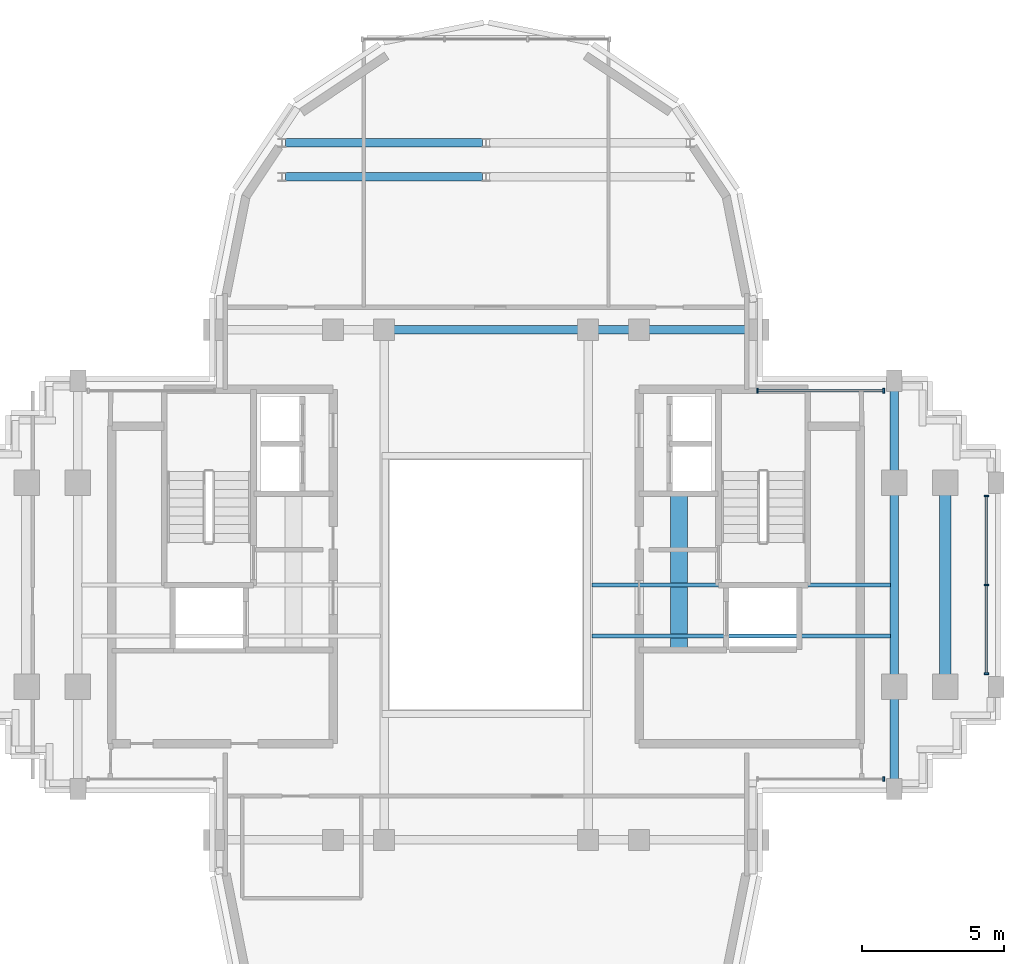
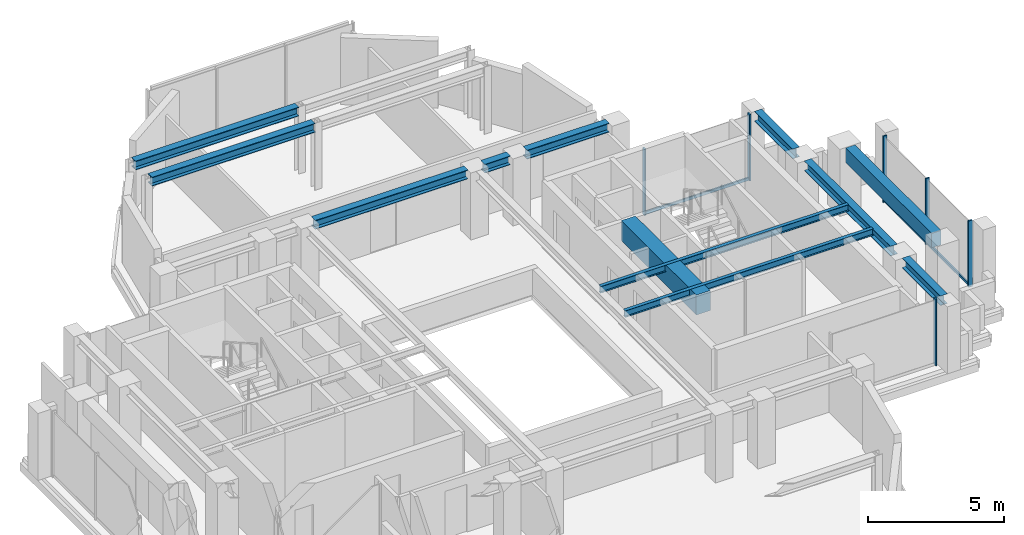
# One storey, part 5 of 12: 12 beams, 9 members, 3 elements without a shape of their own.
"""IFC4 building model written with IfcOpenShell, lengths in metres."""

from ifc_helpers import new_model, si_unit, direction, frame, origin, origin_2d, place, context, subcontext, project, spatial, rectangle, i_section, extrude, source, transform, mapped, material, material_profile, profile_set, type_object, element, aggregate, save


model = new_model("IFC4")

# Units and contexts
model_context = context("Model", 3, precision=1e-05, world=origin(), true_north=direction((0.0, 1.0)))
body_context = subcontext(model_context, "Body", "Model", "MODEL_VIEW")
ifc_project = project(units=[si_unit("LENGTHUNIT", "METRE"), si_unit("AREAUNIT", "SQUARE_METRE"), si_unit("VOLUMEUNIT", "CUBIC_METRE"), si_unit("PLANEANGLEUNIT", "RADIAN"), si_unit("MASSUNIT", "GRAM", prefix="KILO")], contexts=[model_context])

# Site, building, storey
site_placement = place(None, origin())
site = spatial("IfcSite", under=ifc_project, at=site_placement, CompositionType="ELEMENT")
building_placement = place(site_placement, origin())
building = spatial("IfcBuilding", under=site, at=building_placement, Name="Keilestroom Media Tower", CompositionType="ELEMENT")
storey_placement = place(building_placement, frame((0.0, 0.0, 249.199951171875)))
storey = spatial("IfcBuildingStorey", under=building, at=storey_placement, Name="L69", CompositionType="ELEMENT", Elevation=249.199951171875)

# Beams
ifc_material_1 = material(Name="Concrete C70/85", Category="concrete")
ifc_material_profile_1 = material_profile(ifc_material_1, rectangle(XDim=0.60009765625, YDim=0.89990234375, at=origin_2d()), Name="RC 600x900")
ifc_profile_set_1 = profile_set([ifc_material_profile_1], Name="Concrete C70/85")
beam_type_1 = type_object("IfcBeamType", Name="Core-Coupling-Lintel-Beam-RC-600x900", PredefinedType="LINTEL", material=ifc_profile_set_1)
shared_shape_1 = source(origin(), body_context, "Body", "SweptSolid", [
    extrude(rectangle(XDim=0.60009765625, YDim=0.89990234375, at=origin_2d()), origin(), (0.0, 0.0, 1.0), 5.52001953125),
])
beam_1_placement = place(storey_placement, frame((6.800048828125, -2.300048828125, 2.56005859375), z_axis=(0.0, 1.0, 0.0), x_axis=(-1.0, 0.0, 0.0)))
element("IfcBeam", 1, at=beam_1_placement, inside=storey, type_object=beam_type_1, Name="L69 Beam CLB-1 CLB-L69-E", PredefinedType="LINTEL", context=body_context, shape_type="MappedRepresentation", body=[
    mapped(shared_shape_1, transform((0.0, 0.0, 0.0), x_axis=(1.0, 0.0, 0.0), y_axis=(0.0, 1.0, 0.0), z_axis=(0.0, 0.0, 1.0), scale=1.0)),
])
ifc_material_2 = material(Name="Steel S355", Category="steel")
ifc_material_profile_2 = material_profile(ifc_material_2, i_section(OverallWidth=0.300048828125, OverallDepth=0.39990234375, WebThickness=0.011474609375, FlangeThickness=0.02392578125, at=origin_2d()), Name="HEB 400")
ifc_profile_set_2 = profile_set([ifc_material_profile_2], Name="Steel S355")
beam_type_2 = type_object("IfcBeamType", Name="Primary-Structural-Girder-HEB-400", PredefinedType="BEAM", material=ifc_profile_set_2)
shared_shape_2 = source(origin(), body_context, "Body", "SweptSolid", [
    extrude(i_section(OverallWidth=0.300048828125, OverallDepth=0.39990234375, WebThickness=0.011474609375, FlangeThickness=0.02392578125, at=origin_2d()), origin(), (0.0, 0.0, 1.0), 6.940185546875),
])
for number, where, z_axis, x_axis, name in (
    (2, (-7.070068359375, 14.39990234375, 2.81005859375), (1.0, 0.0, 0.0), (0.0, 1.0, 0.0), "L69 Beam BG-8 BM-L69-EW-017"),
    (3, (-7.070068359375, 15.60009765625, 2.81005859375), (1.0, 0.0, 0.0), (0.0, 1.0, 0.0), "L69 Beam BG-8 BM-L69-EW-019"),
):
    element("IfcBeam", number, at=place(storey_placement, frame(where, z_axis=z_axis, x_axis=x_axis)), inside=storey, type_object=beam_type_2, Name=name, PredefinedType="BEAM", context=body_context, shape_type="MappedRepresentation", body=[
        mapped(shared_shape_2, transform((0.0, 0.0, 0.0), x_axis=(1.0, 0.0, 0.0), y_axis=(0.0, 1.0, 0.0), z_axis=(0.0, 0.0, 1.0), scale=1.0)),
    ])
shared_shape_3 = source(origin(), body_context, "Body", "SweptSolid", [
    extrude(i_section(OverallWidth=0.300048828125, OverallDepth=0.39990234375, WebThickness=0.011474609375, FlangeThickness=0.02392578125, at=origin_2d()), origin(), (0.0, 0.0, 1.0), 3.490234375),
])
beam_2_placement = place(storey_placement, frame((5.7548828125, 9.0, 2.81005859375), z_axis=(1.0, 0.0, 0.0), x_axis=(0.0, 1.0, 0.0)))
element("IfcBeam", 4, at=beam_2_placement, inside=storey, type_object=beam_type_2, Name="L69 Beam BG-8 BM-L69-EW-016", PredefinedType="BEAM", context=body_context, shape_type="MappedRepresentation", body=[
    mapped(shared_shape_3, transform((0.0, 0.0, 0.0), x_axis=(1.0, 0.0, 0.0), y_axis=(0.0, 1.0, 0.0), z_axis=(0.0, 0.0, 1.0), scale=1.0)),
])
shared_shape_4 = source(origin(), body_context, "Body", "SweptSolid", [
    extrude(i_section(OverallWidth=0.300048828125, OverallDepth=0.39990234375, WebThickness=0.011474609375, FlangeThickness=0.02392578125, at=origin_2d()), origin(), (0.0, 0.0, 1.0), 1.08984375),
])
beam_3_placement = place(storey_placement, frame((3.955078125, 9.0, 2.81005859375), z_axis=(1.0, 0.0, 0.0), x_axis=(0.0, 1.0, 0.0)))
element("IfcBeam", 5, at=beam_3_placement, inside=storey, type_object=beam_type_2, Name="L69 Beam BG-8 BM-L69-EW-015", PredefinedType="BEAM", context=body_context, shape_type="MappedRepresentation", body=[
    mapped(shared_shape_4, transform((0.0, 0.0, 0.0), x_axis=(1.0, 0.0, 0.0), y_axis=(0.0, 1.0, 0.0), z_axis=(0.0, 0.0, 1.0), scale=1.0)),
])
shared_shape_5 = source(origin(), body_context, "Body", "SweptSolid", [
    extrude(i_section(OverallWidth=0.300048828125, OverallDepth=0.39990234375, WebThickness=0.011474609375, FlangeThickness=0.02392578125, at=origin_2d()), origin(), (0.0, 0.0, 1.0), 6.490234375),
])
beam_4_placement = place(storey_placement, frame((-3.2451171875, 9.0, 2.81005859375), z_axis=(1.0, 0.0, 0.0), x_axis=(0.0, 1.0, 0.0)))
element("IfcBeam", 6, at=beam_4_placement, inside=storey, type_object=beam_type_2, Name="L69 Beam BG-8 BM-L69-EW-014", PredefinedType="BEAM", context=body_context, shape_type="MappedRepresentation", body=[
    mapped(shared_shape_5, transform((0.0, 0.0, 0.0), x_axis=(1.0, 0.0, 0.0), y_axis=(0.0, 1.0, 0.0), z_axis=(0.0, 0.0, 1.0), scale=1.0)),
])
ifc_material_profile_3 = material_profile(ifc_material_2, i_section(OverallWidth=0.300048828125, OverallDepth=0.43994140625, WebThickness=0.011474609375, FlangeThickness=0.02099609375, at=origin_2d()), Name="HEA 450")
ifc_profile_set_3 = profile_set([ifc_material_profile_3], Name="Steel S355")
beam_type_3 = type_object("IfcBeamType", Name="Primary-Structural-Girder-HEA-450", PredefinedType="BEAM", material=ifc_profile_set_3)
shared_shape_6 = source(origin(), body_context, "Body", "SweptSolid", [
    extrude(i_section(OverallWidth=0.300048828125, OverallDepth=0.43994140625, WebThickness=0.011474609375, FlangeThickness=0.02099609375, at=origin_2d()), origin(), (0.0, 0.0, 1.0), 6.33984375),
])
beam_5_placement = place(storey_placement, frame((14.39990234375, -3.169921875, 2.7900390625), z_axis=(0.0, 1.0, 0.0), x_axis=(-1.0, 0.0, 0.0)))
element("IfcBeam", 7, at=beam_5_placement, inside=storey, type_object=beam_type_3, Name="L69 Beam BG-11 BM-L69-NS-036", PredefinedType="BEAM", context=body_context, shape_type="MappedRepresentation", body=[
    mapped(shared_shape_6, transform((0.0, 0.0, 0.0), x_axis=(1.0, 0.0, 0.0), y_axis=(0.0, 1.0, 0.0), z_axis=(0.0, 0.0, 1.0), scale=1.0)),
])
shared_shape_7 = source(origin(), body_context, "Body", "SweptSolid", [
    extrude(i_section(OverallWidth=0.300048828125, OverallDepth=0.43994140625, WebThickness=0.011474609375, FlangeThickness=0.02099609375, at=origin_2d()), origin(), (0.0, 0.0, 1.0), 2.81494140625),
])
for number, where, z_axis, x_axis, name in (
    (8, (14.39990234375, -6.844970703125, 2.7900390625), (0.0, 1.0, 0.0), (-1.0, 0.0, 0.0), "L69 Beam BG-11 BM-L69-NS-035"),
    (9, (14.39990234375, 4.030029296875, 2.7900390625), (0.0, 1.0, 0.0), (-1.0, 0.0, 0.0), "L69 Beam BG-11 BM-L69-NS-037"),
):
    element("IfcBeam", number, at=place(storey_placement, frame(where, z_axis=z_axis, x_axis=x_axis)), inside=storey, type_object=beam_type_3, Name=name, PredefinedType="BEAM", context=body_context, shape_type="MappedRepresentation", body=[
        mapped(shared_shape_7, transform((0.0, 0.0, 0.0), x_axis=(1.0, 0.0, 0.0), y_axis=(0.0, 1.0, 0.0), z_axis=(0.0, 0.0, 1.0), scale=1.0)),
    ])
ifc_material_profile_4 = material_profile(ifc_material_2, i_section(OverallWidth=0.14990234375, OverallDepth=0.300048828125, WebThickness=0.007080078125, FlangeThickness=0.0107421875, at=origin_2d()), Name="IPE 300")
ifc_profile_set_4 = profile_set([ifc_material_profile_4], Name="Steel S355")
beam_type_4 = type_object("IfcBeamType", Name="Secondary-Floor-Joist-IPE-300", PredefinedType="JOIST", material=ifc_profile_set_4)
shared_shape_8 = source(origin(), body_context, "Body", "SweptSolid", [
    extrude(i_section(OverallWidth=0.14990234375, OverallDepth=0.300048828125, WebThickness=0.007080078125, FlangeThickness=0.0107421875, at=origin_2d()), origin(), (0.0, 0.0, 1.0), 10.5400390625),
])
for number, where, z_axis, x_axis, name in (
    (10, (3.72998046875, -1.800048828125, 2.860107421875), (1.0, 0.0, 0.0), (0.0, 1.0, 0.0), "L69 Beam BJ-7 JST-L69-041"),
    (11, (3.72998046875, 0.0, 2.860107421875), (1.0, 0.0, 0.0), (0.0, 1.0, 0.0), "L69 Beam BJ-7 JST-L69-044"),
):
    element("IfcBeam", number, at=place(storey_placement, frame(where, z_axis=z_axis, x_axis=x_axis)), inside=storey, type_object=beam_type_4, Name=name, PredefinedType="JOIST", context=body_context, shape_type="MappedRepresentation", body=[
        mapped(shared_shape_8, transform((0.0, 0.0, 0.0), x_axis=(1.0, 0.0, 0.0), y_axis=(0.0, 1.0, 0.0), z_axis=(0.0, 0.0, 1.0), scale=1.0)),
    ])
ifc_material_3 = material(Name="Precast concrete C40/50", Category="concrete")
ifc_material_profile_5 = material_profile(ifc_material_3, rectangle(XDim=0.39990234375, YDim=0.64990234375, at=origin_2d()), Name="PC 400x650")
ifc_profile_set_5 = profile_set([ifc_material_profile_5], Name="Precast concrete C40/50")
beam_type_5 = type_object("IfcBeamType", Name="Perimeter-Spandrel-Beam-PC-400x650", PredefinedType="SPANDREL", material=ifc_profile_set_5)
shared_shape_9 = source(origin(), body_context, "Body", "SweptSolid", [
    extrude(rectangle(XDim=0.39990234375, YDim=0.64990234375, at=origin_2d()), origin(), (0.0, 0.0, 1.0), 6.33984375),
])
beam_6_placement = place(storey_placement, frame((16.199951171875, -3.169921875, 2.655029296875), z_axis=(0.0, 1.0, 0.0), x_axis=(-1.0, 0.0, 0.0)))
element("IfcBeam", 12, at=beam_6_placement, inside=storey, type_object=beam_type_5, Name="L69 Beam SPB-2 BM-L69-NS-038", PredefinedType="SPANDREL", context=body_context, shape_type="MappedRepresentation", body=[
    mapped(shared_shape_9, transform((0.0, 0.0, 0.0), x_axis=(1.0, 0.0, 0.0), y_axis=(0.0, 1.0, 0.0), z_axis=(0.0, 0.0, 1.0), scale=1.0)),
])

# Curtain wall, members
ifc_material_4 = material(Name="Anodised Aluminium Alloy", Category="aluminium")
curtain_wall_type = type_object("IfcCurtainWallType", Name="Unitised-Curtain-Wall-CW-4", PredefinedType="NOTDEFINED", material=ifc_material_4)
curtain_wall_1_placement = place(storey_placement, origin())
curtain_wall_1 = element("IfcCurtainWall", 13, at=curtain_wall_1_placement, inside=storey, type_object=curtain_wall_type, Name="L69 Curtain Wall CW-4 CW-L69-E-1", PredefinedType="NOTDEFINED")
ifc_material_profile_6 = material_profile(ifc_material_4, rectangle(XDim=0.06005859375, YDim=0.159912109375, at=origin_2d()), Name="ALU MULLION 60x160")
ifc_profile_set_6 = profile_set([ifc_material_profile_6], Name="Anodised Aluminium Alloy")
member_type_1 = type_object("IfcMemberType", Name="Curtain-Wall-Mullion-CW-4", PredefinedType="MULLION", material=ifc_profile_set_6)
shared_shape_10 = source(origin(), body_context, "Body", "SweptSolid", [
    extrude(rectangle(XDim=0.06005859375, YDim=0.159912109375, at=origin_2d()), origin(), (0.0, 0.0, 1.0), 2.97998046875),
])
member_1_placement = place(storey_placement, frame((17.64990234375, -3.135009765625, 0.0), z_axis=(0.0, 0.0, 1.0), x_axis=(0.0, 1.0, 0.0)))
member_1 = element("IfcMember", 14, at=member_1_placement, type_object=member_type_1, Name="CW-4 Mullion 00", PredefinedType="MULLION", context=body_context, shape_type="MappedRepresentation", body=[
    mapped(shared_shape_10, transform((0.0, 0.0, 0.0), x_axis=(1.0, 0.0, 0.0), y_axis=(0.0, 1.0, 0.0), z_axis=(0.0, 0.0, 1.0), scale=1.0)),
])
member_2_placement = place(storey_placement, frame((17.64990234375, 0.0, 0.0), z_axis=(0.0, 0.0, 1.0), x_axis=(0.0, 1.0, 0.0)))
member_2 = element("IfcMember", 15, at=member_2_placement, type_object=member_type_1, Name="CW-4 Mullion 01", PredefinedType="MULLION", context=body_context, shape_type="MappedRepresentation", body=[
    mapped(shared_shape_10, transform((0.0, 0.0, 0.0), x_axis=(1.0, 0.0, 0.0), y_axis=(0.0, 1.0, 0.0), z_axis=(0.0, 0.0, 1.0), scale=1.0)),
])
member_3_placement = place(storey_placement, frame((17.64990234375, 3.135009765625, 0.0), z_axis=(0.0, 0.0, 1.0), x_axis=(0.0, 1.0, 0.0)))
member_3 = element("IfcMember", 16, at=member_3_placement, type_object=member_type_1, Name="CW-4 Mullion 02", PredefinedType="MULLION", context=body_context, shape_type="MappedRepresentation", body=[
    mapped(shared_shape_10, transform((0.0, 0.0, 0.0), x_axis=(1.0, 0.0, 0.0), y_axis=(0.0, 1.0, 0.0), z_axis=(0.0, 0.0, 1.0), scale=1.0)),
])

curtain_wall_2_placement = place(storey_placement, origin())
curtain_wall_2 = element("IfcCurtainWall", 17, at=curtain_wall_2_placement, inside=storey, type_object=curtain_wall_type, Name="L69 Curtain Wall CW-4 CW-L69-NE-1", PredefinedType="NOTDEFINED")
member_4_placement = place(storey_placement, frame((9.580078125, 6.85009765625, 0.0), z_axis=(0.0, 0.0, 1.0), x_axis=(1.0, 0.0, 0.0)))
member_4 = element("IfcMember", 18, at=member_4_placement, type_object=member_type_1, Name="CW-4 Mullion 00", PredefinedType="MULLION", context=body_context, shape_type="MappedRepresentation", body=[
    mapped(shared_shape_10, transform((0.0, 0.0, 0.0), x_axis=(1.0, 0.0, 0.0), y_axis=(0.0, 1.0, 0.0), z_axis=(0.0, 0.0, 1.0), scale=1.0)),
])
member_5_placement = place(storey_placement, frame((14.034912109375, 6.85009765625, 0.0), z_axis=(0.0, 0.0, 1.0), x_axis=(1.0, 0.0, 0.0)))
member_5 = element("IfcMember", 19, at=member_5_placement, type_object=member_type_1, Name="CW-4 Mullion 01", PredefinedType="MULLION", context=body_context, shape_type="MappedRepresentation", body=[
    mapped(shared_shape_10, transform((0.0, 0.0, 0.0), x_axis=(1.0, 0.0, 0.0), y_axis=(0.0, 1.0, 0.0), z_axis=(0.0, 0.0, 1.0), scale=1.0)),
])

# Curtain wall, member
curtain_wall_3_placement = place(storey_placement, origin())
curtain_wall_3 = element("IfcCurtainWall", 20, at=curtain_wall_3_placement, inside=storey, type_object=curtain_wall_type, Name="L69 Curtain Wall CW-4 CW-L69-SE-1", PredefinedType="NOTDEFINED")
member_6_placement = place(storey_placement, frame((14.034912109375, -6.85009765625, 0.0), z_axis=(0.0, 0.0, 1.0), x_axis=(1.0, 0.0, 0.0)))
member_6 = element("IfcMember", 21, at=member_6_placement, type_object=member_type_1, Name="CW-4 Mullion 01", PredefinedType="MULLION", context=body_context, shape_type="MappedRepresentation", body=[
    mapped(shared_shape_10, transform((0.0, 0.0, 0.0), x_axis=(1.0, 0.0, 0.0), y_axis=(0.0, 1.0, 0.0), z_axis=(0.0, 0.0, 1.0), scale=1.0)),
])
aggregate(curtain_wall_3, [member_6])

# Member
ifc_material_profile_7 = material_profile(ifc_material_4, rectangle(XDim=0.06005859375, YDim=0.1298828125, at=origin_2d()), Name="ALU TRANSOM 60x130")
ifc_profile_set_7 = profile_set([ifc_material_profile_7], Name="Anodised Aluminium Alloy")
member_type_2 = type_object("IfcMemberType", Name="Curtain-Wall-Transom-CW-4", PredefinedType="USERDEFINED", material=ifc_profile_set_7)
shared_shape_11 = source(origin(), body_context, "Body", "SweptSolid", [
    extrude(rectangle(XDim=0.06005859375, YDim=0.1298828125, at=origin_2d()), origin(), (0.0, 0.0, 1.0), 3.078857421875),
])
member_7_placement = place(storey_placement, frame((17.64990234375, -3.10693359375, 0.06494140625), z_axis=(0.0, 1.0, 0.0), x_axis=(-1.0, 0.0, 0.0)))
member_7 = element("IfcMember", 22, at=member_7_placement, type_object=member_type_2, Name="CW-4 Transom 00.1", ObjectType="TRANSOM", PredefinedType="USERDEFINED", context=body_context, shape_type="MappedRepresentation", body=[
    mapped(shared_shape_11, transform((0.0, 0.0, 0.0), x_axis=(1.0, 0.0, 0.0), y_axis=(0.0, 1.0, 0.0), z_axis=(0.0, 0.0, 1.0), scale=1.0)),
])

member_8_placement = place(storey_placement, frame((17.64990234375, 0.028076171875, 0.06494140625), z_axis=(0.0, 1.0, 0.0), x_axis=(-1.0, 0.0, 0.0)))
member_8 = element("IfcMember", 23, at=member_8_placement, type_object=member_type_2, Name="CW-4 Transom 01.1", ObjectType="TRANSOM", PredefinedType="USERDEFINED", context=body_context, shape_type="MappedRepresentation", body=[
    mapped(shared_shape_11, transform((0.0, 0.0, 0.0), x_axis=(1.0, 0.0, 0.0), y_axis=(0.0, 1.0, 0.0), z_axis=(0.0, 0.0, 1.0), scale=1.0)),
])

aggregate(curtain_wall_1, [member_1, member_2, member_3, member_7, member_8])

shared_shape_12 = source(origin(), body_context, "Body", "SweptSolid", [
    extrude(rectangle(XDim=0.06005859375, YDim=0.1298828125, at=origin_2d()), origin(), (0.0, 0.0, 1.0), 4.399169921875),
])
member_9_placement = place(storey_placement, frame((9.60791015625, 6.85009765625, 0.06494140625), z_axis=(1.0, 0.0, 0.0), x_axis=(0.0, 1.0, 0.0)))
member_9 = element("IfcMember", 24, at=member_9_placement, type_object=member_type_2, Name="CW-4 Transom 00.1", ObjectType="TRANSOM", PredefinedType="USERDEFINED", context=body_context, shape_type="MappedRepresentation", body=[
    mapped(shared_shape_12, transform((0.0, 0.0, 0.0), x_axis=(1.0, 0.0, 0.0), y_axis=(0.0, 1.0, 0.0), z_axis=(0.0, 0.0, 1.0), scale=1.0)),
])

aggregate(curtain_wall_2, [member_4, member_5, member_9])

save(model, "model.ifc")
